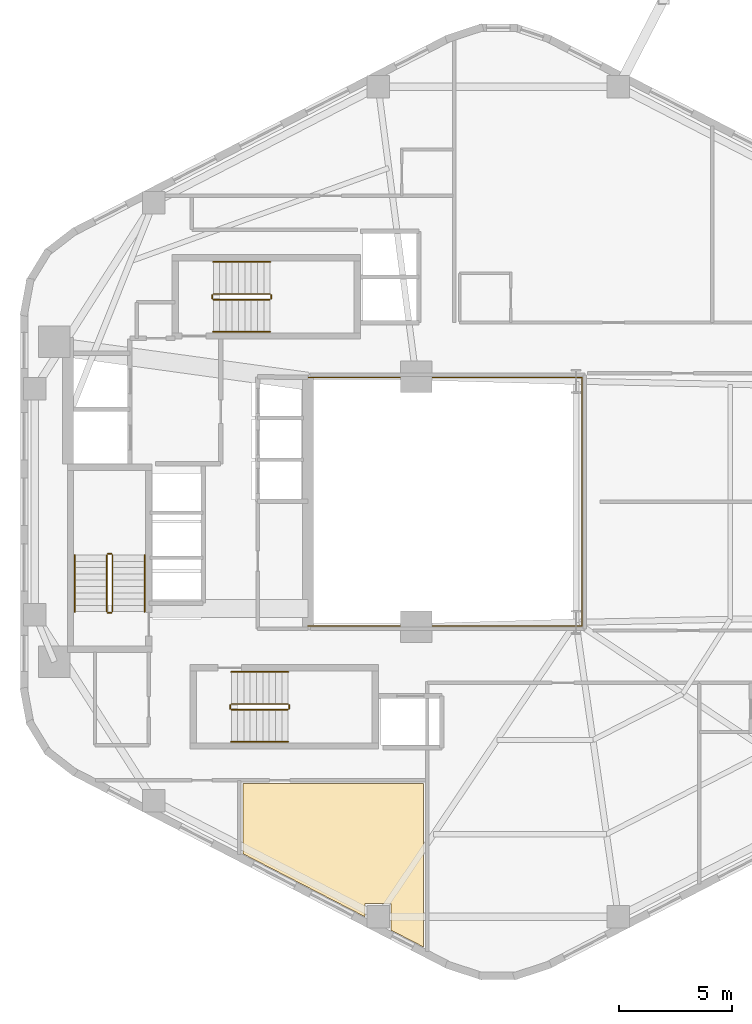
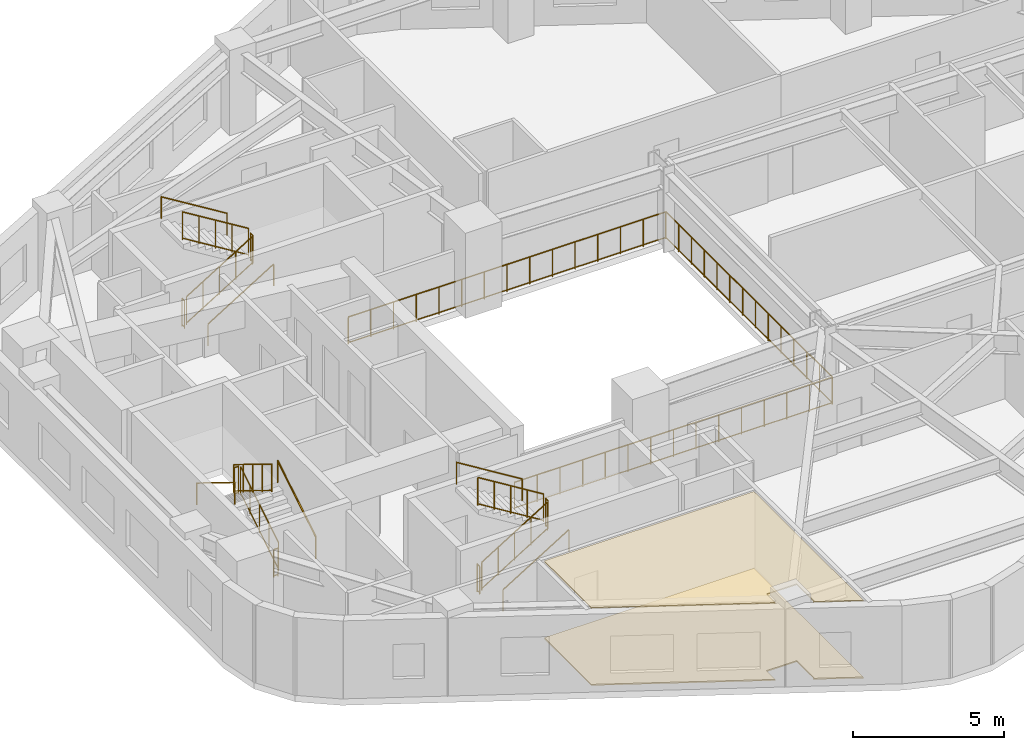
# One storey, part 8 of 9: 19 railings, 2 coverings.
"""IFC4 building model written with IfcOpenShell, lengths in metres."""

from ifc_helpers import new_model, si_unit, direction, frame, origin, origin_2d, place, context, subcontext, project, spatial, polyline, circle, outline, extrude, material, layer, layer_set, type_object, element, save


model = new_model("IFC4")

# Units and contexts
model_context = context("Model", 3, precision=1e-05, world=origin(), true_north=direction((0.0, 1.0)))
body_context = subcontext(model_context, "Body", "Model", "MODEL_VIEW")
ifc_project = project(units=[si_unit("LENGTHUNIT", "METRE"), si_unit("AREAUNIT", "SQUARE_METRE"), si_unit("VOLUMEUNIT", "CUBIC_METRE"), si_unit("PLANEANGLEUNIT", "RADIAN"), si_unit("MASSUNIT", "GRAM", prefix="KILO"), si_unit("THERMODYNAMICTEMPERATUREUNIT", "KELVIN"), si_unit("POWERUNIT", "WATT")], contexts=[model_context])

# Site, building, storey
site_placement = place(None, origin())
site = spatial("IfcSite", under=ifc_project, at=site_placement, CompositionType="ELEMENT")
building_placement = place(site_placement, origin())
building = spatial("IfcBuilding", under=site, at=building_placement, Name="Skarre Station Tower", CompositionType="ELEMENT")
storey_placement = place(building_placement, frame((0.0, 0.0, 108.449951171875)))
storey = spatial("IfcBuildingStorey", under=building, at=storey_placement, Name="L28", CompositionType="ELEMENT", Elevation=108.449951171875)

# Railing
ifc_material_1 = material(Name="Bronze Anodized Steel & Laminated Glass Balustrade", Category="steel")
railing_type_1 = type_object("IfcRailingType", Name="Atrium Void & Mezzanine Guard Balustrade 1120", PredefinedType="GUARDRAIL", material=ifc_material_1)
railing_1_placement = place(storey_placement, frame((27.550048828125, 18.47998046875, 0.0)))
element("IfcRailing", 1, at=railing_1_placement, inside=storey, type_object=railing_type_1, Name="L28 Atrium Void Guard Balustrade", PredefinedType="GUARDRAIL", context=body_context, shape_type="SweptSolid", body=[
    extrude(circle(Radius=0.02392578125, at=origin_2d()), frame((0.0, 0.0, 1.09619140625), z_axis=(1.0, 0.0, 0.0), x_axis=(0.0, 1.0, 0.0)), (0.0, 0.0, 1.0), 12.169921875),
    extrude(circle(Radius=0.02099609375, at=origin_2d()), frame((0.0, 0.0, 0.06005859375), z_axis=(1.0, 0.0, 0.0), x_axis=(0.0, 1.0, 0.0)), (0.0, 0.0, 1.0), 12.169921875),
    extrude(circle(Radius=0.02392578125, at=origin_2d()), frame((12.169921875, 0.0, 1.09619140625), z_axis=(0.0, 1.0, 0.0), x_axis=(-1.0, 0.0, 0.0)), (0.0, 0.0, 1.0), 11.0400390625),
    extrude(circle(Radius=0.02099609375, at=origin_2d()), frame((12.169921875, 0.0, 0.06005859375), z_axis=(0.0, 1.0, 0.0), x_axis=(-1.0, 0.0, 0.0)), (0.0, 0.0, 1.0), 11.0400390625),
    extrude(circle(Radius=0.02392578125, at=origin_2d()), frame((12.169921875, 11.0400390625, 1.09619140625), z_axis=(-1.0, 0.0, 0.0), x_axis=(0.0, -1.0, 0.0)), (0.0, 0.0, 1.0), 12.169921875),
    extrude(circle(Radius=0.02099609375, at=origin_2d()), frame((12.169921875, 11.0400390625, 0.06005859375), z_axis=(-1.0, 0.0, 0.0), x_axis=(0.0, -1.0, 0.0)), (0.0, 0.0, 1.0), 12.169921875),
    extrude(circle(Radius=0.02099609375, at=origin_2d()), origin(), (0.0, 0.0, 1.0), 1.072021484375),
    extrude(circle(Radius=0.02099609375, at=origin_2d()), frame((0.869384765625, 0.0, 0.0)), (0.0, 0.0, 1.0), 1.072021484375),
    extrude(circle(Radius=0.02099609375, at=origin_2d()), frame((1.738525390625, 0.0, 0.0)), (0.0, 0.0, 1.0), 1.072021484375),
    extrude(circle(Radius=0.02099609375, at=origin_2d()), frame((2.60791015625, 0.0, 0.0)), (0.0, 0.0, 1.0), 1.072021484375),
    extrude(circle(Radius=0.02099609375, at=origin_2d()), frame((3.47705078125, 0.0, 0.0)), (0.0, 0.0, 1.0), 1.072021484375),
    extrude(circle(Radius=0.02099609375, at=origin_2d()), frame((4.346435546875, 0.0, 0.0)), (0.0, 0.0, 1.0), 1.072021484375),
    extrude(circle(Radius=0.02099609375, at=origin_2d()), frame((5.215576171875, 0.0, 0.0)), (0.0, 0.0, 1.0), 1.072021484375),
    extrude(circle(Radius=0.02099609375, at=origin_2d()), frame((6.0849609375, 0.0, 0.0)), (0.0, 0.0, 1.0), 1.072021484375),
    extrude(circle(Radius=0.02099609375, at=origin_2d()), frame((6.954345703125, 0.0, 0.0)), (0.0, 0.0, 1.0), 1.072021484375),
    extrude(circle(Radius=0.02099609375, at=origin_2d()), frame((7.823486328125, 0.0, 0.0)), (0.0, 0.0, 1.0), 1.072021484375),
    extrude(circle(Radius=0.02099609375, at=origin_2d()), frame((8.69287109375, 0.0, 0.0)), (0.0, 0.0, 1.0), 1.072021484375),
    extrude(circle(Radius=0.02099609375, at=origin_2d()), frame((9.56201171875, 0.0, 0.0)), (0.0, 0.0, 1.0), 1.072021484375),
    extrude(circle(Radius=0.02099609375, at=origin_2d()), frame((10.431396484375, 0.0, 0.0)), (0.0, 0.0, 1.0), 1.072021484375),
    extrude(circle(Radius=0.02099609375, at=origin_2d()), frame((11.300537109375, 0.0, 0.0)), (0.0, 0.0, 1.0), 1.072021484375),
    extrude(circle(Radius=0.02099609375, at=origin_2d()), frame((12.169921875, 0.0, 0.0)), (0.0, 0.0, 1.0), 1.072021484375),
    extrude(circle(Radius=0.02099609375, at=origin_2d()), frame((12.169921875, 0.84912109375, 0.0)), (0.0, 0.0, 1.0), 1.072021484375),
    extrude(circle(Radius=0.02099609375, at=origin_2d()), frame((12.169921875, 1.698486328125, 0.0)), (0.0, 0.0, 1.0), 1.072021484375),
    extrude(circle(Radius=0.02099609375, at=origin_2d()), frame((12.169921875, 2.547607421875, 0.0)), (0.0, 0.0, 1.0), 1.072021484375),
    extrude(circle(Radius=0.02099609375, at=origin_2d()), frame((12.169921875, 3.39697265625, 0.0)), (0.0, 0.0, 1.0), 1.072021484375),
    extrude(circle(Radius=0.02099609375, at=origin_2d()), frame((12.169921875, 4.24609375, 0.0)), (0.0, 0.0, 1.0), 1.072021484375),
    extrude(circle(Radius=0.02099609375, at=origin_2d()), frame((12.169921875, 5.095458984375, 0.0)), (0.0, 0.0, 1.0), 1.072021484375),
    extrude(circle(Radius=0.02099609375, at=origin_2d()), frame((12.169921875, 5.944580078125, 0.0)), (0.0, 0.0, 1.0), 1.072021484375),
    extrude(circle(Radius=0.02099609375, at=origin_2d()), frame((12.169921875, 6.7939453125, 0.0)), (0.0, 0.0, 1.0), 1.072021484375),
    extrude(circle(Radius=0.02099609375, at=origin_2d()), frame((12.169921875, 7.64306640625, 0.0)), (0.0, 0.0, 1.0), 1.072021484375),
    extrude(circle(Radius=0.02099609375, at=origin_2d()), frame((12.169921875, 8.492431640625, 0.0)), (0.0, 0.0, 1.0), 1.072021484375),
    extrude(circle(Radius=0.02099609375, at=origin_2d()), frame((12.169921875, 9.341552734375, 0.0)), (0.0, 0.0, 1.0), 1.072021484375),
    extrude(circle(Radius=0.02099609375, at=origin_2d()), frame((12.169921875, 10.19091796875, 0.0)), (0.0, 0.0, 1.0), 1.072021484375),
    extrude(circle(Radius=0.02099609375, at=origin_2d()), frame((12.169921875, 11.0400390625, 0.0)), (0.0, 0.0, 1.0), 1.072021484375),
    extrude(circle(Radius=0.02099609375, at=origin_2d()), frame((11.300537109375, 11.0400390625, 0.0)), (0.0, 0.0, 1.0), 1.072021484375),
    extrude(circle(Radius=0.02099609375, at=origin_2d()), frame((10.431396484375, 11.0400390625, 0.0)), (0.0, 0.0, 1.0), 1.072021484375),
    extrude(circle(Radius=0.02099609375, at=origin_2d()), frame((9.56201171875, 11.0400390625, 0.0)), (0.0, 0.0, 1.0), 1.072021484375),
    extrude(circle(Radius=0.02099609375, at=origin_2d()), frame((8.69287109375, 11.0400390625, 0.0)), (0.0, 0.0, 1.0), 1.072021484375),
    extrude(circle(Radius=0.02099609375, at=origin_2d()), frame((7.823486328125, 11.0400390625, 0.0)), (0.0, 0.0, 1.0), 1.072021484375),
    extrude(circle(Radius=0.02099609375, at=origin_2d()), frame((6.954345703125, 11.0400390625, 0.0)), (0.0, 0.0, 1.0), 1.072021484375),
    extrude(circle(Radius=0.02099609375, at=origin_2d()), frame((6.0849609375, 11.0400390625, 0.0)), (0.0, 0.0, 1.0), 1.072021484375),
    extrude(circle(Radius=0.02099609375, at=origin_2d()), frame((5.215576171875, 11.0400390625, 0.0)), (0.0, 0.0, 1.0), 1.072021484375),
    extrude(circle(Radius=0.02099609375, at=origin_2d()), frame((4.346435546875, 11.0400390625, 0.0)), (0.0, 0.0, 1.0), 1.072021484375),
    extrude(circle(Radius=0.02099609375, at=origin_2d()), frame((3.47705078125, 11.0400390625, 0.0)), (0.0, 0.0, 1.0), 1.072021484375),
    extrude(circle(Radius=0.02099609375, at=origin_2d()), frame((2.60791015625, 11.0400390625, 0.0)), (0.0, 0.0, 1.0), 1.072021484375),
    extrude(circle(Radius=0.02099609375, at=origin_2d()), frame((1.738525390625, 11.0400390625, 0.0)), (0.0, 0.0, 1.0), 1.072021484375),
    extrude(circle(Radius=0.02099609375, at=origin_2d()), frame((0.869384765625, 11.0400390625, 0.0)), (0.0, 0.0, 1.0), 1.072021484375),
    extrude(circle(Radius=0.02099609375, at=origin_2d()), frame((0.0, 11.0400390625, 0.0)), (0.0, 0.0, 1.0), 1.072021484375),
])

# Coverings
ifc_material_2 = material(Name="Honed Jura Limestone & Calcium-Sulfate Access Tile", Category="masonry")
ifc_layer_1 = layer(ifc_material_2, 0.050048828125, Name="Honed Jura Limestone & Calcium-Sulfate Access Tile")
ifc_layer_set_1 = layer_set([ifc_layer_1], Name="Honed Jura Limestone & Calcium-Sulfate Access Tile")
covering_type_1 = type_object("IfcCoveringType", Name="Honed Limestone & Raised Access Floor Finish 50", PredefinedType="FLOORING", material=ifc_layer_set_1)
covering_1_placement = place(storey_placement, origin())
element("IfcCovering", 2, at=covering_1_placement, inside=storey, type_object=covering_type_1, Name="L28 Limestone Access Flooring 1", PredefinedType="FLOORING", context=body_context, shape_type="SweptSolid", body=[
    extrude(outline(polyline([(24.659912109375, 8.3798828125), (30.089111328125, 5.577880859375), (30.089111328125, 6.162109375), (31.2490234375, 6.162109375), (31.2490234375, 5.001953125), (31.205078125, 5.001953125), (32.68994140625, 4.235107421875), (32.68994140625, 11.5), (24.659912109375, 11.5), (24.659912109375, 8.3798828125)])), origin(), (0.0, 0.0, 1.0), 0.050048828125),
])
ifc_material_3 = material(Name="Perforated Nordic Birch Veneer & Mineral Wool", Category="wood")
ifc_layer_2 = layer(ifc_material_3, 0.044921875, Name="Perforated Nordic Birch Veneer & Mineral Wool")
ifc_layer_set_2 = layer_set([ifc_layer_2], Name="Perforated Nordic Birch Veneer & Mineral Wool")
covering_type_2 = type_object("IfcCoveringType", Name="Nordic Birch Slatted Acoustic Suspended Ceiling 45", PredefinedType="CEILING", material=ifc_layer_set_2)
covering_2_placement = place(storey_placement, frame((0.0, 0.0, 3.114990234375)))
element("IfcCovering", 3, at=covering_2_placement, inside=storey, type_object=covering_type_2, Name="L28 Acoustic Birch Ceiling 1", PredefinedType="CEILING", context=body_context, shape_type="SweptSolid", body=[
    extrude(outline(polyline([(24.659912109375, 8.3798828125), (30.089111328125, 5.577880859375), (30.089111328125, 6.162109375), (31.2490234375, 6.162109375), (31.2490234375, 5.001953125), (31.205078125, 5.001953125), (32.68994140625, 4.235107421875), (32.68994140625, 11.5), (24.659912109375, 11.5), (24.659912109375, 8.3798828125)])), origin(), (0.0, 0.0, 1.0), 0.045166015625),
])

# Railings
ifc_material_4 = material(Name="Powder-Coated Tubular Steel", Category="steel")
railing_type_2 = type_object("IfcRailingType", Name="Painted Steel Ramp & Stair Handrail 920", PredefinedType="HANDRAIL", material=ifc_material_4)
railing_2_placement = place(storey_placement, frame((20.300048828125, 19.1201171875, 0.172607421875)))
element("IfcRailing", 4, at=railing_2_placement, inside=storey, type_object=railing_type_2, Name="L28 ST-1 stair handrail 1", PredefinedType="HANDRAIL", context=body_context, shape_type="SweptSolid", body=[
    extrude(circle(Radius=0.02392578125, at=origin_2d()), frame((0.0, 0.0, 0.8759765625), z_axis=(0.0, 0.851377800117, 0.52455299205), x_axis=(-1.0, 0.0, 0.0)), (0.0, 0.0, 1.0), 2.959716796875),
    extrude(circle(Radius=0.02099609375, at=origin_2d()), origin(), (0.0, 0.0, 1.0), 0.851806640625),
    extrude(circle(Radius=0.02099609375, at=origin_2d()), frame((0.0, 2.519775390625, 1.552490234375)), (0.0, 0.0, 1.0), 0.851806640625),
])
railing_3_placement = place(storey_placement, frame((17.199951171875, 21.639892578125, 1.8974609375)))
element("IfcRailing", 5, at=railing_3_placement, inside=storey, type_object=railing_type_2, Name="L28 ST-1 stair handrail 2", PredefinedType="HANDRAIL", context=body_context, shape_type="SweptSolid", body=[
    extrude(circle(Radius=0.02392578125, at=origin_2d()), frame((0.0, 0.0, 0.8759765625), z_axis=(0.0, -0.851377800117, 0.52455299205), x_axis=(1.0, 0.0, 0.0)), (0.0, 0.0, 1.0), 2.959716796875),
    extrude(circle(Radius=0.02099609375, at=origin_2d()), origin(), (0.0, 0.0, 1.0), 0.851806640625),
    extrude(circle(Radius=0.02099609375, at=origin_2d()), frame((0.0, -2.519775390625, 1.552490234375)), (0.0, 0.0, 1.0), 0.851806640625),
])
railing_4_placement = place(storey_placement, frame((24.14990234375, 13.35009765625, 0.172607421875)))
element("IfcRailing", 6, at=railing_4_placement, inside=storey, type_object=railing_type_2, Name="L28 ST-2 stair handrail 1", PredefinedType="HANDRAIL", context=body_context, shape_type="SweptSolid", body=[
    extrude(circle(Radius=0.02392578125, at=origin_2d()), frame((0.0, 0.0, 0.8759765625), z_axis=(0.851400495292, 0.0, 0.524516154772), x_axis=(0.0, 1.0, 0.0)), (0.0, 0.0, 1.0), 2.9599609375),
    extrude(circle(Radius=0.02099609375, at=origin_2d()), origin(), (0.0, 0.0, 1.0), 0.851806640625),
    extrude(circle(Radius=0.02099609375, at=origin_2d()), frame((2.52001953125, 0.0, 1.552490234375)), (0.0, 0.0, 1.0), 0.851806640625),
])
railing_5_placement = place(storey_placement, frame((26.669921875, 16.449951171875, 1.8974609375)))
element("IfcRailing", 7, at=railing_5_placement, inside=storey, type_object=railing_type_2, Name="L28 ST-2 stair handrail 2", PredefinedType="HANDRAIL", context=body_context, shape_type="SweptSolid", body=[
    extrude(circle(Radius=0.02392578125, at=origin_2d()), frame((0.0, 0.0, 0.8759765625), z_axis=(-0.851400495292, 0.0, 0.524516154772), x_axis=(0.0, -1.0, 0.0)), (0.0, 0.0, 1.0), 2.9599609375),
    extrude(circle(Radius=0.02099609375, at=origin_2d()), origin(), (0.0, 0.0, 1.0), 0.851806640625),
    extrude(circle(Radius=0.02099609375, at=origin_2d()), frame((-2.52001953125, 0.0, 1.552490234375)), (0.0, 0.0, 1.0), 0.851806640625),
])
railing_6_placement = place(storey_placement, frame((23.35009765625, 31.550048828125, 0.172607421875)))
element("IfcRailing", 8, at=railing_6_placement, inside=storey, type_object=railing_type_2, Name="L28 ST-3 stair handrail 1", PredefinedType="HANDRAIL", context=body_context, shape_type="SweptSolid", body=[
    extrude(circle(Radius=0.02392578125, at=origin_2d()), frame((0.0, 0.0, 0.8759765625), z_axis=(0.851400495292, 0.0, 0.524516154772), x_axis=(0.0, 1.0, 0.0)), (0.0, 0.0, 1.0), 2.9599609375),
    extrude(circle(Radius=0.02099609375, at=origin_2d()), origin(), (0.0, 0.0, 1.0), 0.851806640625),
    extrude(circle(Radius=0.02099609375, at=origin_2d()), frame((2.52001953125, 0.0, 1.552490234375)), (0.0, 0.0, 1.0), 0.851806640625),
])
railing_7_placement = place(storey_placement, frame((25.8701171875, 34.64990234375, 1.8974609375)))
element("IfcRailing", 9, at=railing_7_placement, inside=storey, type_object=railing_type_2, Name="L28 ST-3 stair handrail 2", PredefinedType="HANDRAIL", context=body_context, shape_type="SweptSolid", body=[
    extrude(circle(Radius=0.02392578125, at=origin_2d()), frame((0.0, 0.0, 0.8759765625), z_axis=(-0.851400495292, 0.0, 0.524516154772), x_axis=(0.0, -1.0, 0.0)), (0.0, 0.0, 1.0), 2.9599609375),
    extrude(circle(Radius=0.02099609375, at=origin_2d()), origin(), (0.0, 0.0, 1.0), 0.851806640625),
    extrude(circle(Radius=0.02099609375, at=origin_2d()), frame((-2.52001953125, 0.0, 1.552490234375)), (0.0, 0.0, 1.0), 0.851806640625),
])
railing_type_3 = type_object("IfcRailingType", Name="Painted Steel Stairwell Guardrail 1100", PredefinedType="GUARDRAIL", material=ifc_material_4)
railing_8_placement = place(storey_placement, frame((18.8798828125, 19.1201171875, 0.172607421875)))
element("IfcRailing", 10, at=railing_8_placement, inside=storey, type_object=railing_type_3, Name="L28 ST-1 stair guard 1", PredefinedType="GUARDRAIL", context=body_context, shape_type="SweptSolid", body=[
    extrude(circle(Radius=0.02392578125, at=origin_2d()), frame((0.0, 0.0, 1.1259765625), z_axis=(0.0, 0.851377800117, 0.52455299205), x_axis=(-1.0, 0.0, 0.0)), (0.0, 0.0, 1.0), 2.959716796875),
    extrude(circle(Radius=0.02099609375, at=origin_2d()), frame((0.0, 0.0, 0.06005859375), z_axis=(0.0, 0.851377800117, 0.52455299205), x_axis=(-1.0, 0.0, 0.0)), (0.0, 0.0, 1.0), 2.959716796875),
    extrude(circle(Radius=0.02099609375, at=origin_2d()), origin(), (0.0, 0.0, 1.0), 1.101806640625),
    extrude(circle(Radius=0.02099609375, at=origin_2d()), frame((0.0, 0.6298828125, 0.38818359375)), (0.0, 0.0, 1.0), 1.101806640625),
    extrude(circle(Radius=0.02099609375, at=origin_2d()), frame((0.0, 1.259765625, 0.7763671875)), (0.0, 0.0, 1.0), 1.101806640625),
    extrude(circle(Radius=0.02099609375, at=origin_2d()), frame((0.0, 1.889892578125, 1.164306640625)), (0.0, 0.0, 1.0), 1.101806640625),
    extrude(circle(Radius=0.02099609375, at=origin_2d()), frame((0.0, 2.519775390625, 1.552490234375)), (0.0, 0.0, 1.0), 1.101806640625),
])
railing_9_placement = place(storey_placement, frame((18.830078125, 21.68994140625, 1.72509765625)))
element("IfcRailing", 11, at=railing_9_placement, inside=storey, type_object=railing_type_3, Name="L28 ST-1 stair guard 2", PredefinedType="GUARDRAIL", context=body_context, shape_type="SweptSolid", body=[
    extrude(circle(Radius=0.02392578125, at=origin_2d()), frame((0.0, 0.0, 1.1259765625), z_axis=(-1.0, 0.0, 0.0), x_axis=(0.0, -1.0, 0.0)), (0.0, 0.0, 1.0), 0.16015625),
    extrude(circle(Radius=0.02099609375, at=origin_2d()), frame((0.0, 0.0, 0.06005859375), z_axis=(-1.0, 0.0, 0.0), x_axis=(0.0, -1.0, 0.0)), (0.0, 0.0, 1.0), 0.16015625),
    extrude(circle(Radius=0.02099609375, at=origin_2d()), origin(), (0.0, 0.0, 1.0), 1.101806640625),
    extrude(circle(Radius=0.02099609375, at=origin_2d()), frame((-0.16015625, 0.0, 0.0)), (0.0, 0.0, 1.0), 1.101806640625),
])
railing_10_placement = place(storey_placement, frame((18.6201171875, 21.639892578125, 1.8974609375)))
element("IfcRailing", 12, at=railing_10_placement, inside=storey, type_object=railing_type_3, Name="L28 ST-1 stair guard 3", PredefinedType="GUARDRAIL", context=body_context, shape_type="SweptSolid", body=[
    extrude(circle(Radius=0.02392578125, at=origin_2d()), frame((0.0, 0.0, 1.1259765625), z_axis=(0.0, -0.851377800117, 0.52455299205), x_axis=(1.0, 0.0, 0.0)), (0.0, 0.0, 1.0), 2.959716796875),
    extrude(circle(Radius=0.02099609375, at=origin_2d()), frame((0.0, 0.0, 0.06005859375), z_axis=(0.0, -0.851377800117, 0.52455299205), x_axis=(1.0, 0.0, 0.0)), (0.0, 0.0, 1.0), 2.959716796875),
    extrude(circle(Radius=0.02099609375, at=origin_2d()), origin(), (0.0, 0.0, 1.0), 1.101806640625),
    extrude(circle(Radius=0.02099609375, at=origin_2d()), frame((0.0, -0.6298828125, 0.38818359375)), (0.0, 0.0, 1.0), 1.101806640625),
    extrude(circle(Radius=0.02099609375, at=origin_2d()), frame((0.0, -1.259765625, 0.7763671875)), (0.0, 0.0, 1.0), 1.101806640625),
    extrude(circle(Radius=0.02099609375, at=origin_2d()), frame((0.0, -1.889892578125, 1.164306640625)), (0.0, 0.0, 1.0), 1.101806640625),
    extrude(circle(Radius=0.02099609375, at=origin_2d()), frame((0.0, -2.519775390625, 1.552490234375)), (0.0, 0.0, 1.0), 1.101806640625),
])
railing_11_placement = place(storey_placement, frame((18.830078125, 19.070068359375, 0.0)))
element("IfcRailing", 13, at=railing_11_placement, inside=storey, type_object=railing_type_3, Name="L28 ST-1 stair guard 4", PredefinedType="GUARDRAIL", context=body_context, shape_type="SweptSolid", body=[
    extrude(circle(Radius=0.02392578125, at=origin_2d()), frame((0.0, 0.0, 1.1259765625), z_axis=(-1.0, 0.0, 0.0), x_axis=(0.0, -1.0, 0.0)), (0.0, 0.0, 1.0), 0.16015625),
    extrude(circle(Radius=0.02099609375, at=origin_2d()), frame((0.0, 0.0, 0.06005859375), z_axis=(-1.0, 0.0, 0.0), x_axis=(0.0, -1.0, 0.0)), (0.0, 0.0, 1.0), 0.16015625),
    extrude(circle(Radius=0.02099609375, at=origin_2d()), origin(), (0.0, 0.0, 1.0), 1.101806640625),
    extrude(circle(Radius=0.02099609375, at=origin_2d()), frame((-0.16015625, 0.0, 0.0)), (0.0, 0.0, 1.0), 1.101806640625),
])
railing_12_placement = place(storey_placement, frame((24.14990234375, 14.77001953125, 0.172607421875)))
element("IfcRailing", 14, at=railing_12_placement, inside=storey, type_object=railing_type_3, Name="L28 ST-2 stair guard 1", PredefinedType="GUARDRAIL", context=body_context, shape_type="SweptSolid", body=[
    extrude(circle(Radius=0.02392578125, at=origin_2d()), frame((0.0, 0.0, 1.1259765625), z_axis=(0.851400495292, 0.0, 0.524516154772), x_axis=(0.0, 1.0, 0.0)), (0.0, 0.0, 1.0), 2.9599609375),
    extrude(circle(Radius=0.02099609375, at=origin_2d()), frame((0.0, 0.0, 0.06005859375), z_axis=(0.851400495292, 0.0, 0.524516154772), x_axis=(0.0, 1.0, 0.0)), (0.0, 0.0, 1.0), 2.9599609375),
    extrude(circle(Radius=0.02099609375, at=origin_2d()), origin(), (0.0, 0.0, 1.0), 1.101806640625),
    extrude(circle(Radius=0.02099609375, at=origin_2d()), frame((0.6298828125, 0.0, 0.38818359375)), (0.0, 0.0, 1.0), 1.101806640625),
    extrude(circle(Radius=0.02099609375, at=origin_2d()), frame((1.260009765625, 0.0, 0.7763671875)), (0.0, 0.0, 1.0), 1.101806640625),
    extrude(circle(Radius=0.02099609375, at=origin_2d()), frame((1.89013671875, 0.0, 1.164306640625)), (0.0, 0.0, 1.0), 1.101806640625),
    extrude(circle(Radius=0.02099609375, at=origin_2d()), frame((2.52001953125, 0.0, 1.552490234375)), (0.0, 0.0, 1.0), 1.101806640625),
])
railing_13_placement = place(storey_placement, frame((26.719970703125, 14.820068359375, 1.72509765625)))
element("IfcRailing", 15, at=railing_13_placement, inside=storey, type_object=railing_type_3, Name="L28 ST-2 stair guard 2", PredefinedType="GUARDRAIL", context=body_context, shape_type="SweptSolid", body=[
    extrude(circle(Radius=0.02392578125, at=origin_2d()), frame((0.0, 0.0, 1.1259765625), z_axis=(0.0, 1.0, 0.0), x_axis=(-1.0, 0.0, 0.0)), (0.0, 0.0, 1.0), 0.159912109375),
    extrude(circle(Radius=0.02099609375, at=origin_2d()), frame((0.0, 0.0, 0.06005859375), z_axis=(0.0, 1.0, 0.0), x_axis=(-1.0, 0.0, 0.0)), (0.0, 0.0, 1.0), 0.159912109375),
    extrude(circle(Radius=0.02099609375, at=origin_2d()), origin(), (0.0, 0.0, 1.0), 1.101806640625),
    extrude(circle(Radius=0.02099609375, at=origin_2d()), frame((0.0, 0.159912109375, 0.0)), (0.0, 0.0, 1.0), 1.101806640625),
])
railing_14_placement = place(storey_placement, frame((26.669921875, 15.030029296875, 1.8974609375)))
element("IfcRailing", 16, at=railing_14_placement, inside=storey, type_object=railing_type_3, Name="L28 ST-2 stair guard 3", PredefinedType="GUARDRAIL", context=body_context, shape_type="SweptSolid", body=[
    extrude(circle(Radius=0.02392578125, at=origin_2d()), frame((0.0, 0.0, 1.1259765625), z_axis=(-0.851400495292, 0.0, 0.524516154772), x_axis=(0.0, -1.0, 0.0)), (0.0, 0.0, 1.0), 2.9599609375),
    extrude(circle(Radius=0.02099609375, at=origin_2d()), frame((0.0, 0.0, 0.06005859375), z_axis=(-0.851400495292, 0.0, 0.524516154772), x_axis=(0.0, -1.0, 0.0)), (0.0, 0.0, 1.0), 2.9599609375),
    extrude(circle(Radius=0.02099609375, at=origin_2d()), origin(), (0.0, 0.0, 1.0), 1.101806640625),
    extrude(circle(Radius=0.02099609375, at=origin_2d()), frame((-0.6298828125, 0.0, 0.38818359375)), (0.0, 0.0, 1.0), 1.101806640625),
    extrude(circle(Radius=0.02099609375, at=origin_2d()), frame((-1.260009765625, 0.0, 0.7763671875)), (0.0, 0.0, 1.0), 1.101806640625),
    extrude(circle(Radius=0.02099609375, at=origin_2d()), frame((-1.89013671875, 0.0, 1.164306640625)), (0.0, 0.0, 1.0), 1.101806640625),
    extrude(circle(Radius=0.02099609375, at=origin_2d()), frame((-2.52001953125, 0.0, 1.552490234375)), (0.0, 0.0, 1.0), 1.101806640625),
])
railing_15_placement = place(storey_placement, frame((24.10009765625, 14.820068359375, 0.0)))
element("IfcRailing", 17, at=railing_15_placement, inside=storey, type_object=railing_type_3, Name="L28 ST-2 stair guard 4", PredefinedType="GUARDRAIL", context=body_context, shape_type="SweptSolid", body=[
    extrude(circle(Radius=0.02392578125, at=origin_2d()), frame((0.0, 0.0, 1.1259765625), z_axis=(0.0, 1.0, 0.0), x_axis=(-1.0, 0.0, 0.0)), (0.0, 0.0, 1.0), 0.159912109375),
    extrude(circle(Radius=0.02099609375, at=origin_2d()), frame((0.0, 0.0, 0.06005859375), z_axis=(0.0, 1.0, 0.0), x_axis=(-1.0, 0.0, 0.0)), (0.0, 0.0, 1.0), 0.159912109375),
    extrude(circle(Radius=0.02099609375, at=origin_2d()), origin(), (0.0, 0.0, 1.0), 1.101806640625),
    extrude(circle(Radius=0.02099609375, at=origin_2d()), frame((0.0, 0.159912109375, 0.0)), (0.0, 0.0, 1.0), 1.101806640625),
])
railing_16_placement = place(storey_placement, frame((23.35009765625, 32.969970703125, 0.172607421875)))
element("IfcRailing", 18, at=railing_16_placement, inside=storey, type_object=railing_type_3, Name="L28 ST-3 stair guard 1", PredefinedType="GUARDRAIL", context=body_context, shape_type="SweptSolid", body=[
    extrude(circle(Radius=0.02392578125, at=origin_2d()), frame((0.0, 0.0, 1.1259765625), z_axis=(0.851400495292, 0.0, 0.524516154772), x_axis=(0.0, 1.0, 0.0)), (0.0, 0.0, 1.0), 2.9599609375),
    extrude(circle(Radius=0.02099609375, at=origin_2d()), frame((0.0, 0.0, 0.06005859375), z_axis=(0.851400495292, 0.0, 0.524516154772), x_axis=(0.0, 1.0, 0.0)), (0.0, 0.0, 1.0), 2.9599609375),
    extrude(circle(Radius=0.02099609375, at=origin_2d()), origin(), (0.0, 0.0, 1.0), 1.101806640625),
    extrude(circle(Radius=0.02099609375, at=origin_2d()), frame((0.6298828125, 0.0, 0.38818359375)), (0.0, 0.0, 1.0), 1.101806640625),
    extrude(circle(Radius=0.02099609375, at=origin_2d()), frame((1.260009765625, 0.0, 0.7763671875)), (0.0, 0.0, 1.0), 1.101806640625),
    extrude(circle(Radius=0.02099609375, at=origin_2d()), frame((1.89013671875, 0.0, 1.164306640625)), (0.0, 0.0, 1.0), 1.101806640625),
    extrude(circle(Radius=0.02099609375, at=origin_2d()), frame((2.52001953125, 0.0, 1.552490234375)), (0.0, 0.0, 1.0), 1.101806640625),
])
railing_17_placement = place(storey_placement, frame((25.919921875, 33.02001953125, 1.72509765625)))
element("IfcRailing", 19, at=railing_17_placement, inside=storey, type_object=railing_type_3, Name="L28 ST-3 stair guard 2", PredefinedType="GUARDRAIL", context=body_context, shape_type="SweptSolid", body=[
    extrude(circle(Radius=0.02392578125, at=origin_2d()), frame((0.0, 0.0, 1.1259765625), z_axis=(0.0, 1.0, 0.0), x_axis=(-1.0, 0.0, 0.0)), (0.0, 0.0, 1.0), 0.159912109375),
    extrude(circle(Radius=0.02099609375, at=origin_2d()), frame((0.0, 0.0, 0.06005859375), z_axis=(0.0, 1.0, 0.0), x_axis=(-1.0, 0.0, 0.0)), (0.0, 0.0, 1.0), 0.159912109375),
    extrude(circle(Radius=0.02099609375, at=origin_2d()), origin(), (0.0, 0.0, 1.0), 1.101806640625),
    extrude(circle(Radius=0.02099609375, at=origin_2d()), frame((0.0, 0.159912109375, 0.0)), (0.0, 0.0, 1.0), 1.101806640625),
])
railing_18_placement = place(storey_placement, frame((25.8701171875, 33.22998046875, 1.8974609375)))
element("IfcRailing", 20, at=railing_18_placement, inside=storey, type_object=railing_type_3, Name="L28 ST-3 stair guard 3", PredefinedType="GUARDRAIL", context=body_context, shape_type="SweptSolid", body=[
    extrude(circle(Radius=0.02392578125, at=origin_2d()), frame((0.0, 0.0, 1.1259765625), z_axis=(-0.851400495292, 0.0, 0.524516154772), x_axis=(0.0, -1.0, 0.0)), (0.0, 0.0, 1.0), 2.9599609375),
    extrude(circle(Radius=0.02099609375, at=origin_2d()), frame((0.0, 0.0, 0.06005859375), z_axis=(-0.851400495292, 0.0, 0.524516154772), x_axis=(0.0, -1.0, 0.0)), (0.0, 0.0, 1.0), 2.9599609375),
    extrude(circle(Radius=0.02099609375, at=origin_2d()), origin(), (0.0, 0.0, 1.0), 1.101806640625),
    extrude(circle(Radius=0.02099609375, at=origin_2d()), frame((-0.6298828125, 0.0, 0.38818359375)), (0.0, 0.0, 1.0), 1.101806640625),
    extrude(circle(Radius=0.02099609375, at=origin_2d()), frame((-1.260009765625, 0.0, 0.7763671875)), (0.0, 0.0, 1.0), 1.101806640625),
    extrude(circle(Radius=0.02099609375, at=origin_2d()), frame((-1.89013671875, 0.0, 1.164306640625)), (0.0, 0.0, 1.0), 1.101806640625),
    extrude(circle(Radius=0.02099609375, at=origin_2d()), frame((-2.52001953125, 0.0, 1.552490234375)), (0.0, 0.0, 1.0), 1.101806640625),
])
railing_19_placement = place(storey_placement, frame((23.300048828125, 33.02001953125, 0.0)))
element("IfcRailing", 21, at=railing_19_placement, inside=storey, type_object=railing_type_3, Name="L28 ST-3 stair guard 4", PredefinedType="GUARDRAIL", context=body_context, shape_type="SweptSolid", body=[
    extrude(circle(Radius=0.02392578125, at=origin_2d()), frame((0.0, 0.0, 1.1259765625), z_axis=(0.0, 1.0, 0.0), x_axis=(-1.0, 0.0, 0.0)), (0.0, 0.0, 1.0), 0.159912109375),
    extrude(circle(Radius=0.02099609375, at=origin_2d()), frame((0.0, 0.0, 0.06005859375), z_axis=(0.0, 1.0, 0.0), x_axis=(-1.0, 0.0, 0.0)), (0.0, 0.0, 1.0), 0.159912109375),
    extrude(circle(Radius=0.02099609375, at=origin_2d()), origin(), (0.0, 0.0, 1.0), 1.101806640625),
    extrude(circle(Radius=0.02099609375, at=origin_2d()), frame((0.0, 0.159912109375, 0.0)), (0.0, 0.0, 1.0), 1.101806640625),
])

save(model, "model.ifc")
